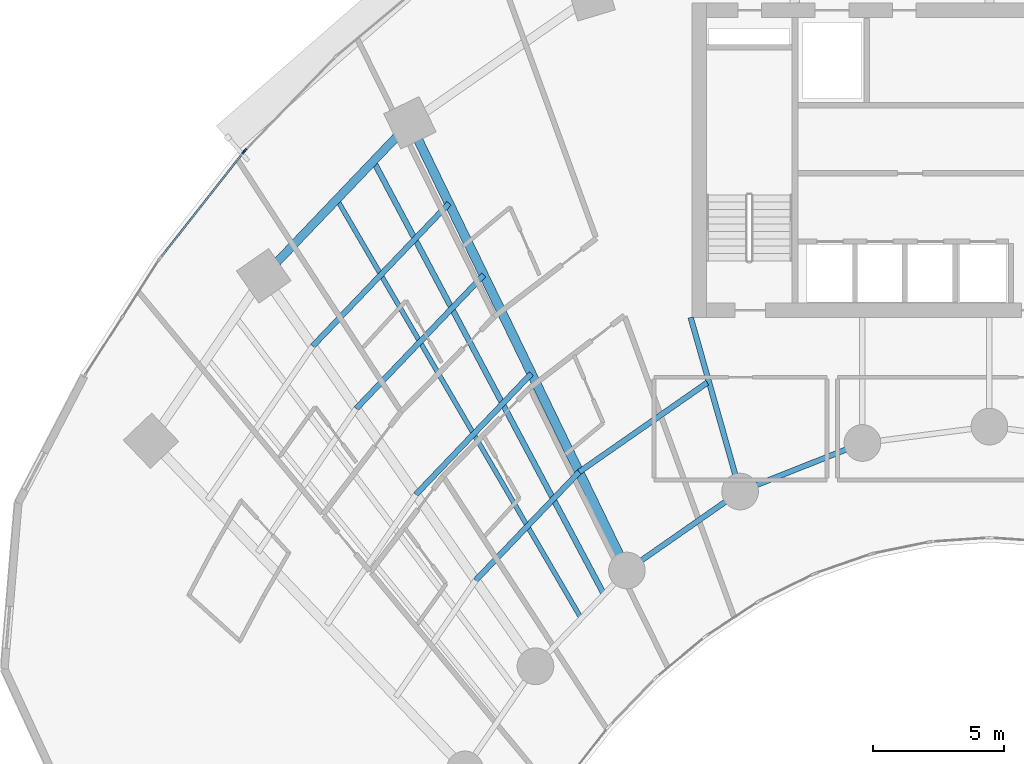
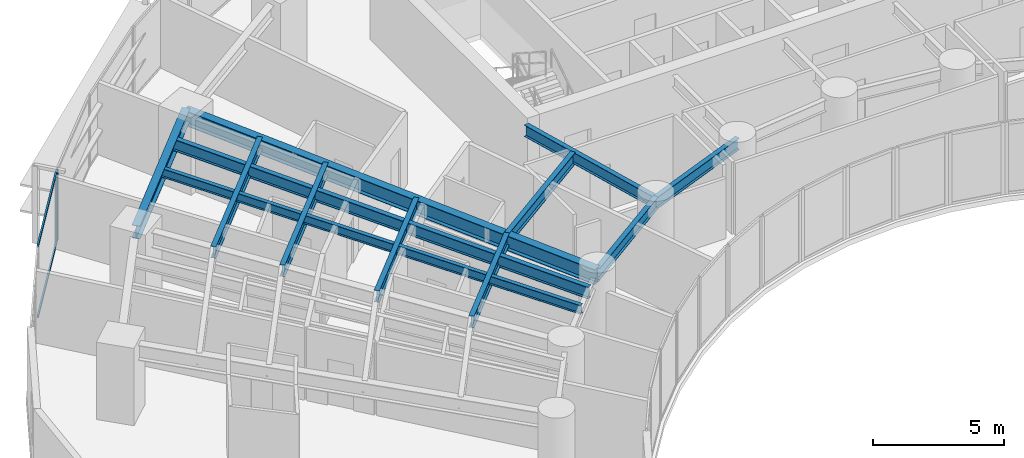
# One storey, part 3 of 18: 12 beams, 4 members, 2 elements without a shape of their own.
"""IFC4 building model written with IfcOpenShell, lengths in metres."""

from ifc_helpers import new_model, si_unit, direction, frame, origin, origin_2d, place, context, subcontext, project, spatial, rectangle, i_section, extrude, source, transform, mapped, material, layer, layer_set, material_profile, profile_set, type_object, type_shapes, element, aggregate, save


model = new_model("IFC4")

# Units and contexts
model_context = context("Model", 3, precision=1e-05, world=origin(), true_north=direction((0.0, 1.0)))
body_context = subcontext(model_context, "Body", "Model", "MODEL_VIEW")
ifc_project = project(units=[si_unit("LENGTHUNIT", "METRE"), si_unit("AREAUNIT", "SQUARE_METRE"), si_unit("VOLUMEUNIT", "CUBIC_METRE"), si_unit("PLANEANGLEUNIT", "RADIAN"), si_unit("MASSUNIT", "GRAM", prefix="KILO")], contexts=[model_context])

# Site, building, storey
site_placement = place(None, origin())
site = spatial("IfcSite", under=ifc_project, at=site_placement, CompositionType="ELEMENT")
building_placement = place(site_placement, origin())
building = spatial("IfcBuilding", under=site, at=building_placement, Name="Breltana Convention Tower", CompositionType="ELEMENT")
storey_placement = place(building_placement, frame((0.0, 0.0, 35.39990234375)))
storey = spatial("IfcBuildingStorey", under=building, at=storey_placement, Name="L06", CompositionType="ELEMENT", Elevation=35.39990234375)

# Beams
ifc_material_1 = material(Name="Steel ASTM A992 Grade 50", Category="steel")
ifc_material_profile_1 = material_profile(ifc_material_1, i_section(OverallWidth=0.323974609375, OverallDepth=0.611083984375, WebThickness=0.0126953125, FlangeThickness=0.01904296875, at=origin_2d()), Name="W24X104")
ifc_profile_set_1 = profile_set([ifc_material_profile_1], Name="Steel ASTM A992 Grade 50")
beam_type_1 = type_object("IfcBeamType", Name="BM-SP-W24X104", PredefinedType="SPANDREL", material=ifc_profile_set_1)
shared_shape_1 = source(origin(), body_context, "Body", "SweptSolid", [
    extrude(i_section(OverallWidth=0.323974609375, OverallDepth=0.611083984375, WebThickness=0.0126953125, FlangeThickness=0.01904296875, at=origin_2d()), origin(), (0.0, 0.0, 1.0), 8.073974609375),
])
beam_1_placement = place(storey_placement, frame((20.310791015625, 61.78857421875, 3.0546875), z_axis=(0.69072885448, 0.723113856588, 0.0), x_axis=(-0.723113856588, 0.69072885448, 0.0)))
element("IfcBeam", 1, at=beam_1_placement, inside=storey, type_object=beam_type_1, Name="L06 Outer Spandrel Beam 02", PredefinedType="SPANDREL", context=body_context, shape_type="MappedRepresentation", body=[
    mapped(shared_shape_1, transform((0.0, 0.0, 0.0), scale=1.0)),
])
ifc_material_profile_2 = material_profile(ifc_material_1, i_section(OverallWidth=0.35498046875, OverallDepth=0.696044921875, WebThickness=0.015380859375, FlangeThickness=0.02490234375, at=origin_2d()), Name="W27X146")
ifc_profile_set_2 = profile_set([ifc_material_profile_2], Name="Steel ASTM A992 Grade 50")
beam_type_2 = type_object("IfcBeamType", Name="BM-RG-W27X146", PredefinedType="USERDEFINED", material=ifc_profile_set_2)
shared_shape_2 = source(origin(), body_context, "Body", "SweptSolid", [
    extrude(i_section(OverallWidth=0.35498046875, OverallDepth=0.696044921875, WebThickness=0.015380859375, FlangeThickness=0.02490234375, at=origin_2d()), origin(), (0.0, 0.0, 1.0), 18.982421875),
])
beam_2_placement = place(storey_placement, frame((34.166259765625, 50.544921875, 3.01220703125), z_axis=(-0.436118560343, 0.89988921614, 0.0), x_axis=(-0.89988921614, -0.436118560343, 0.0)))
element("IfcBeam", 2, at=beam_2_placement, inside=storey, type_object=beam_type_2, Name="L06 Radial Floor Girder R03", ObjectType="GIRDER", PredefinedType="USERDEFINED", context=body_context, shape_type="MappedRepresentation", body=[
    mapped(shared_shape_2, transform((0.0, 0.0, 0.0), scale=1.0)),
])
ifc_material_profile_3 = material_profile(ifc_material_1, i_section(OverallWidth=0.2099609375, OverallDepth=0.537109375, WebThickness=0.010986328125, FlangeThickness=0.017333984375, at=origin_2d()), Name="W21X68")
ifc_profile_set_3 = profile_set([ifc_material_profile_3], Name="Steel ASTM A992 Grade 50")
beam_type_3 = type_object("IfcBeamType", Name="BM-BM-W21X68", PredefinedType="BEAM", material=ifc_profile_set_3)
shared_shape_3 = source(origin(), body_context, "Body", "SweptSolid", [
    extrude(i_section(OverallWidth=0.2099609375, OverallDepth=0.537109375, WebThickness=0.010986328125, FlangeThickness=0.017333984375, at=origin_2d()), origin(), (0.0, 0.0, 1.0), 6.904541015625),
])
type_shapes(beam_type_3, [shared_shape_3])
beam_3_placement = place(storey_placement, frame((36.60009765625, 60.199951171875, 3.091552734375), z_axis=(0.273006781054, -0.962012108811, 0.0), x_axis=(0.962012108811, 0.273006781054, 0.0)))
element("IfcBeam", 3, at=beam_3_placement, inside=storey, type_object=beam_type_3, Name="L06 South Core Tie Girder R04", PredefinedType="BEAM", context=body_context, shape_type="MappedRepresentation", body=[
    mapped(shared_shape_3, transform((0.0, 0.0, 0.0), scale=1.0)),
])
ifc_material_profile_4 = material_profile(ifc_material_1, i_section(OverallWidth=0.179931640625, OverallDepth=0.4130859375, WebThickness=0.009765625, FlangeThickness=0.01611328125, at=origin_2d()), Name="W16X50")
ifc_profile_set_4 = profile_set([ifc_material_profile_4], Name="Steel ASTM A992 Grade 50")
beam_type_4 = type_object("IfcBeamType", Name="BM-JSG-08", PredefinedType="JOIST", material=ifc_profile_set_4)
shared_shape_4 = source(origin(), body_context, "Body", "SweptSolid", [
    extrude(i_section(OverallWidth=0.179931640625, OverallDepth=0.4130859375, WebThickness=0.009765625, FlangeThickness=0.01611328125, at=origin_2d()), origin(), (0.0, 0.0, 1.0), 18.50830078125),
])
beam_4_placement = place(storey_placement, frame((32.421630859375, 48.71875, 3.153564453125), z_axis=(-0.50368319637, 0.863888440537, 0.0), x_axis=(-0.863888440537, -0.50368319637, 0.0)))
element("IfcBeam", 4, at=beam_4_placement, inside=storey, type_object=beam_type_4, Name="L06 Mid-Bay Radial Trimmer 02", PredefinedType="JOIST", context=body_context, shape_type="MappedRepresentation", body=[
    mapped(shared_shape_4, transform((0.0, 0.0, 0.0), scale=1.0)),
])
ifc_material_profile_5 = material_profile(ifc_material_1, i_section(OverallWidth=0.214111328125, OverallDepth=0.549072265625, WebThickness=0.0146484375, FlangeThickness=0.023681640625, at=origin_2d()), Name="W21X93")
ifc_profile_set_5 = profile_set([ifc_material_profile_5], Name="Steel ASTM A992 Grade 50")
beam_type_5 = type_object("IfcBeamType", Name="BM-JSG-03", PredefinedType="JOIST", material=ifc_profile_set_5)
shared_shape_5 = source(origin(), body_context, "Body", "SweptSolid", [
    extrude(i_section(OverallWidth=0.214111328125, OverallDepth=0.549072265625, WebThickness=0.0146484375, FlangeThickness=0.023681640625, at=origin_2d()), origin(), (0.0, 0.0, 1.0), 18.731689453125),
])
beam_5_placement = place(storey_placement, frame((33.2939453125, 49.6318359375, 3.085693359375), z_axis=(-0.469820250451, 0.882762104004, 0.0), x_axis=(-0.882762104004, -0.469820250451, 0.0)))
element("IfcBeam", 5, at=beam_5_placement, inside=storey, type_object=beam_type_5, Name="L06 Quarter-Bay Radial Trimmer 02", PredefinedType="JOIST", context=body_context, shape_type="MappedRepresentation", body=[
    mapped(shared_shape_5, transform((0.0, 0.0, 0.0), scale=1.0)),
])
shared_shape_6 = source(origin(), body_context, "Body", "SweptSolid", [
    extrude(i_section(OverallWidth=0.2099609375, OverallDepth=0.537109375, WebThickness=0.010986328125, FlangeThickness=0.017333984375, at=origin_2d()), origin(), (0.0, 0.0, 1.0), 5.265869140625),
])
beam_6_placement = place(storey_placement, frame((34.166259765625, 50.544921875, 3.091552734375), z_axis=(0.820167429517, 0.572123577176, 0.0), x_axis=(-0.572123577176, 0.820167429517, 0.0)))
element("IfcBeam", 6, at=beam_6_placement, inside=storey, type_object=beam_type_3, Name="L06 Inner Ring Beam 03", PredefinedType="BEAM", context=body_context, shape_type="MappedRepresentation", body=[
    mapped(shared_shape_6, transform((0.0, 0.0, 0.0), scale=1.0)),
])
shared_shape_7 = source(origin(), body_context, "Body", "SweptSolid", [
    extrude(i_section(OverallWidth=0.2099609375, OverallDepth=0.537109375, WebThickness=0.010986328125, FlangeThickness=0.017333984375, at=origin_2d()), origin(), (0.0, 0.0, 1.0), 5.022705078125),
])
beam_7_placement = place(storey_placement, frame((38.485107421875, 53.5576171875, 3.091552734375), z_axis=(0.929458966248, 0.368925507469, 0.0), x_axis=(-0.368925507469, 0.929458966248, 0.0)))
element("IfcBeam", 7, at=beam_7_placement, inside=storey, type_object=beam_type_3, Name="L06 Inner Ring Beam 04", PredefinedType="BEAM", context=body_context, shape_type="MappedRepresentation", body=[
    mapped(shared_shape_7, transform((0.0, 0.0, 0.0), scale=1.0)),
])
shared_shape_8 = source(origin(), body_context, "Body", "SweptSolid", [
    extrude(i_section(OverallWidth=0.214111328125, OverallDepth=0.549072265625, WebThickness=0.0146484375, FlangeThickness=0.023681640625, at=origin_2d()), origin(), (0.0, 0.0, 1.0), 5.716064453125),
])
beam_8_placement = place(storey_placement, frame((28.396484375, 50.169677734375, 3.085693359375), z_axis=(0.690756060045, 0.723087868458, 0.0), x_axis=(-0.723087868458, 0.690756060045, 0.0)))
element("IfcBeam", 8, at=beam_8_placement, inside=storey, type_object=beam_type_5, Name="L06 Composite Floor Joist 02.1", PredefinedType="JOIST", context=body_context, shape_type="MappedRepresentation", body=[
    mapped(shared_shape_8, transform((0.0, 0.0, 0.0), scale=1.0)),
])
shared_shape_9 = source(origin(), body_context, "Body", "SweptSolid", [
    extrude(i_section(OverallWidth=0.214111328125, OverallDepth=0.549072265625, WebThickness=0.0146484375, FlangeThickness=0.023681640625, at=origin_2d()), origin(), (0.0, 0.0, 1.0), 6.381103515625),
])
beam_9_placement = place(storey_placement, frame((26.115966796875, 53.44677734375, 3.085693359375), z_axis=(0.690737768889, 0.723105341309, 0.0), x_axis=(-0.723105341309, 0.690737768889, 0.0)))
element("IfcBeam", 9, at=beam_9_placement, inside=storey, type_object=beam_type_5, Name="L06 Composite Floor Joist 02.2", PredefinedType="JOIST", context=body_context, shape_type="MappedRepresentation", body=[
    mapped(shared_shape_9, transform((0.0, 0.0, 0.0), scale=1.0)),
])
shared_shape_10 = source(origin(), body_context, "Body", "SweptSolid", [
    extrude(i_section(OverallWidth=0.214111328125, OverallDepth=0.549072265625, WebThickness=0.0146484375, FlangeThickness=0.023681640625, at=origin_2d()), origin(), (0.0, 0.0, 1.0), 7.046142578125),
])
beam_10_placement = place(storey_placement, frame((23.83544921875, 56.723876953125, 3.085693359375), z_axis=(0.690722929904, 0.723119515782, 0.0), x_axis=(-0.723119515782, 0.690722929904, 0.0)))
element("IfcBeam", 10, at=beam_10_placement, inside=storey, type_object=beam_type_5, Name="L06 Composite Floor Joist 02.3", PredefinedType="JOIST", context=body_context, shape_type="MappedRepresentation", body=[
    mapped(shared_shape_10, transform((0.0, 0.0, 0.0), scale=1.0)),
])
shared_shape_11 = source(origin(), body_context, "Body", "SweptSolid", [
    extrude(i_section(OverallWidth=0.214111328125, OverallDepth=0.549072265625, WebThickness=0.0146484375, FlangeThickness=0.023681640625, at=origin_2d()), origin(), (0.0, 0.0, 1.0), 7.529541015625),
])
beam_11_placement = place(storey_placement, frame((22.1767578125, 59.107421875, 3.085693359375), z_axis=(0.690725562031, 0.723117001568, 0.0), x_axis=(-0.723117001568, 0.690725562031, 0.0)))
element("IfcBeam", 11, at=beam_11_placement, inside=storey, type_object=beam_type_5, Name="L06 Composite Floor Joist 02.4", PredefinedType="JOIST", context=body_context, shape_type="MappedRepresentation", body=[
    mapped(shared_shape_11, transform((0.0, 0.0, 0.0), scale=1.0)),
])
shared_shape_12 = source(origin(), body_context, "Body", "SweptSolid", [
    extrude(i_section(OverallWidth=0.214111328125, OverallDepth=0.549072265625, WebThickness=0.0146484375, FlangeThickness=0.023681640625, at=origin_2d()), origin(), (0.0, 0.0, 1.0), 5.959228515625),
])
beam_12_placement = place(storey_placement, frame((32.344970703125, 54.302978515625, 3.085693359375), z_axis=(0.820160485262, 0.572133531979, 0.0), x_axis=(-0.572133531979, 0.820160485262, 0.0)))
element("IfcBeam", 12, at=beam_12_placement, inside=storey, type_object=beam_type_5, Name="L06 Composite Floor Joist 03.1", PredefinedType="JOIST", context=body_context, shape_type="MappedRepresentation", body=[
    mapped(shared_shape_12, transform((0.0, 0.0, 0.0), scale=1.0)),
])

# Curtain wall, member
ifc_material_2 = material(Name="Aluminium Anodised Bronze Frame", Category="aluminium")
ifc_layer = layer(ifc_material_2, 0.199951171875, Name="Aluminium Anodised Bronze Frame")
ifc_layer_set = layer_set([ifc_layer], Name="Aluminium Anodised Bronze Frame")
curtain_wall_type = type_object("IfcCurtainWallType", Name="CW-SYS-2", PredefinedType="NOTDEFINED", material=ifc_layer_set)
curtain_wall_1_placement = place(storey_placement, origin())
curtain_wall_1 = element("IfcCurtainWall", 13, at=curtain_wall_1_placement, inside=storey, type_object=curtain_wall_type, Name="L06 outer double-skin inner glazing 2", PredefinedType="NOTDEFINED")
ifc_material_3 = material(Name="Aluminium Anodised Bronze", Category="aluminium")
ifc_material_profile_6 = material_profile(ifc_material_3, rectangle(XDim=0.070068359375, YDim=0.175048828125, at=origin_2d()), Name="CWM-70X175")
ifc_profile_set_6 = profile_set([ifc_material_profile_6], Name="Aluminium Anodised Bronze")
member_type_1 = type_object("IfcMemberType", Name="CWM-175", PredefinedType="MULLION", material=ifc_profile_set_6)
shared_shape_13 = source(origin(), body_context, "Body", "SweptSolid", [
    extrude(rectangle(XDim=0.070068359375, YDim=0.175048828125, at=origin_2d()), origin(), (0.0, 0.0, 1.0), 3.360107421875),
])
type_shapes(member_type_1, [shared_shape_13])
member_1_placement = place(storey_placement, frame((19.545166015625, 66.518798828125, 0.0), z_axis=(0.0, 0.0, 1.0), x_axis=(-0.786057080698, 0.618153917633, 0.0)))
member_1 = element("IfcMember", 14, at=member_1_placement, type_object=member_type_1, Name="CW-02 mullion 2", PredefinedType="MULLION", context=body_context, shape_type="MappedRepresentation", body=[
    mapped(shared_shape_13, transform((0.0, 0.0, 0.0), scale=1.0)),
])

curtain_wall_2_placement = place(storey_placement, origin())
curtain_wall_2 = element("IfcCurtainWall", 15, at=curtain_wall_2_placement, inside=storey, type_object=curtain_wall_type, Name="L06 outer double-skin inner glazing 3", PredefinedType="NOTDEFINED")
member_2_placement = place(storey_placement, frame((19.591064453125, 66.571533203125, 0.0), z_axis=(0.0, 0.0, 1.0), x_axis=(-0.719386421003, 0.694610090106, 0.0)))
member_2 = element("IfcMember", 16, at=member_2_placement, type_object=member_type_1, Name="CW-02 mullion 1", PredefinedType="MULLION", context=body_context, shape_type="MappedRepresentation", body=[
    mapped(shared_shape_13, transform((0.0, 0.0, 0.0), scale=1.0)),
])
aggregate(curtain_wall_2, [member_2])

# Member
ifc_material_profile_7 = material_profile(ifc_material_3, rectangle(XDim=0.070068359375, YDim=0.1201171875, at=origin_2d()), Name="CWT-70X120")
ifc_profile_set_7 = profile_set([ifc_material_profile_7], Name="Aluminium Anodised Bronze")
member_type_2 = type_object("IfcMemberType", Name="CWT-120", PredefinedType="USERDEFINED", material=ifc_profile_set_7)
shared_shape_14 = source(origin(), body_context, "Body", "SweptSolid", [
    extrude(rectangle(XDim=0.070068359375, YDim=0.1201171875, at=origin_2d()), origin(), (0.0, 0.0, 1.0), 5.0546875),
])
member_3_placement = place(storey_placement, frame((16.39892578125, 62.51806640625, 0.03515625), z_axis=(0.618135067667, 0.786071903913, 0.0), x_axis=(-0.786071903913, 0.618135067667, 0.0)))
member_3 = element("IfcMember", 17, at=member_3_placement, type_object=member_type_2, Name="CW-02 transom 1.1", ObjectType="TRANSOM", PredefinedType="USERDEFINED", context=body_context, shape_type="MappedRepresentation", body=[
    mapped(shared_shape_14, transform((0.0, 0.0, 0.0), scale=1.0)),
])

member_4_placement = place(storey_placement, frame((16.39892578125, 62.51806640625, 3.3251953125), z_axis=(0.618135067667, 0.786071903913, 0.0), x_axis=(-0.786071903913, 0.618135067667, 0.0)))
member_4 = element("IfcMember", 18, at=member_4_placement, type_object=member_type_2, Name="CW-02 transom 1.2", ObjectType="TRANSOM", PredefinedType="USERDEFINED", context=body_context, shape_type="MappedRepresentation", body=[
    mapped(shared_shape_14, transform((0.0, 0.0, 0.0), scale=1.0)),
])

aggregate(curtain_wall_1, [member_1, member_3, member_4])

save(model, "model.ifc")
